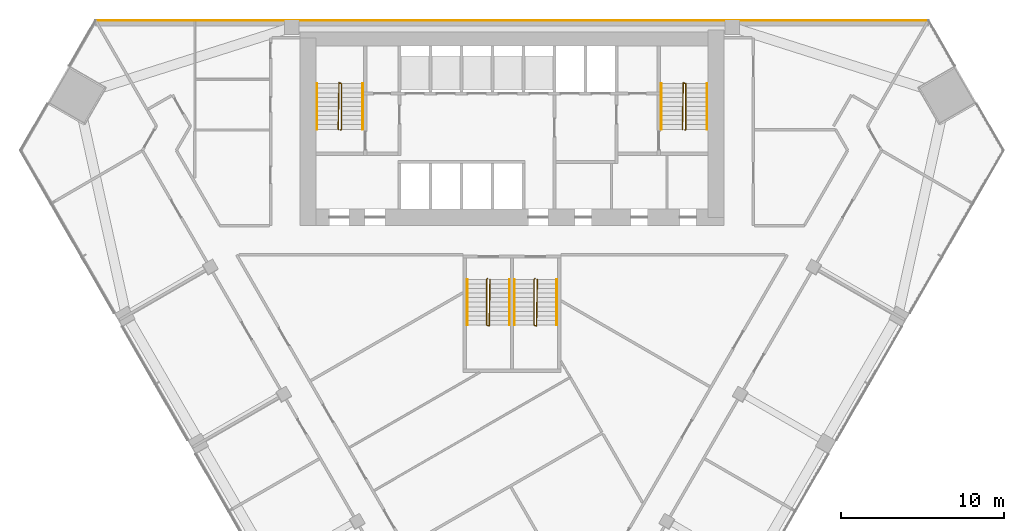
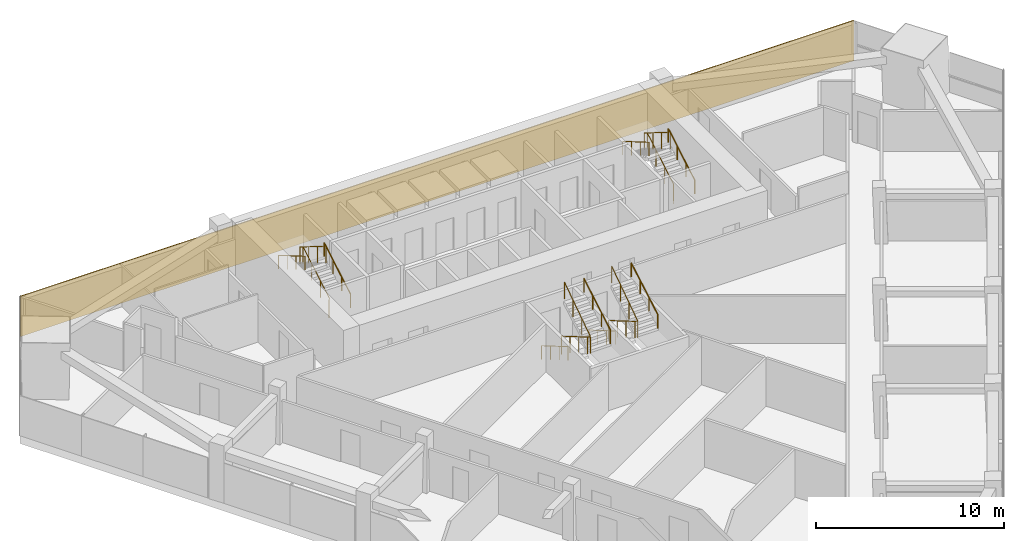
# One storey, part 13 of 14: 12 railings, 1 covering.
"""IFC4 building model written with IfcOpenShell, lengths in metres."""

from ifc_helpers import new_model, si_unit, direction, frame, frame_2d, origin, origin_2d, place, context, subcontext, project, spatial, rectangle, circle, extrude, material, layer, layer_set, type_object, element, save


model = new_model("IFC4")

# Units and contexts
model_context = context("Model", 3, precision=1e-05, world=origin(), true_north=direction((0.0, 1.0)))
body_context = subcontext(model_context, "Body", "Model", "MODEL_VIEW")
ifc_project = project(units=[si_unit("LENGTHUNIT", "METRE"), si_unit("AREAUNIT", "SQUARE_METRE"), si_unit("VOLUMEUNIT", "CUBIC_METRE"), si_unit("PLANEANGLEUNIT", "RADIAN"), si_unit("MASSUNIT", "GRAM", prefix="KILO")], contexts=[model_context])

# Site, building, storey
site_placement = place(None, origin())
site = spatial("IfcSite", under=ifc_project, at=site_placement, CompositionType="ELEMENT")
building_placement = place(site_placement, origin())
building = spatial("IfcBuilding", under=site, at=building_placement, Name="Altiplano Prism Tower", CompositionType="ELEMENT")
storey_placement = place(building_placement, frame((0.0, 0.0, 63.0)))
storey = spatial("IfcBuildingStorey", under=building, at=storey_placement, Name="L15", CompositionType="ELEMENT", Elevation=63.0)

# Railings
ifc_material_1 = material(Name="Steel S355", Category="steel")
railing_type_1 = type_object("IfcRailingType", Name="Stair guard 1100", PredefinedType="GUARDRAIL", material=ifc_material_1)
railing_1_placement = place(storey_placement, frame((74.5, 98.25, 0.0)))
element("IfcRailing", 1, at=railing_1_placement, inside=storey, type_object=railing_type_1, Name="L15 ST1 stair guard 1", PredefinedType="GUARDRAIL", context=body_context, shape_type="SweptSolid", body=[
    extrude(circle(Radius=0.02392578125, at=origin_2d()), frame((0.0, 0.0, 1.076171875), z_axis=(0.280808744504, 0.280808744504, 0.917765164963), x_axis=(-0.707106781187, 0.707106781187, 0.0)), (0.0, 0.0, 1.0), 0.17822265625),
    extrude(circle(Radius=0.02392578125, at=origin_2d()), frame((0.050048828125, 0.050048828125, 1.23974609375), z_axis=(0.0, 0.863360870873, 0.504586966384), x_axis=(-1.0, 0.0, 0.0)), (0.0, 0.0, 1.0), 3.2431640625),
    extrude(circle(Radius=0.02392578125, at=origin_2d()), frame((0.050048828125, 2.85009765625, 2.8759765625), z_axis=(-0.949145278916, 0.314838433982, 0.0), x_axis=(-0.314838433982, -0.949145278916, 0.0)), (0.0, 0.0, 1.0), 0.158203125),
    extrude(circle(Radius=0.02392578125, at=origin_2d()), frame((-0.10009765625, 2.89990234375, 2.8759765625), z_axis=(-0.01477401265, -0.845377694409, 0.533964682676), x_axis=(0.999847325713, -0.01747355902, 0.0)), (0.0, 0.0, 1.0), 3.37109375),
    extrude(circle(Radius=0.02099609375, at=origin_2d()), origin(), (0.0, 0.0, 1.0), 1.052001953125),
    extrude(circle(Radius=0.02099609375, at=origin_2d()), frame((0.050048828125, 0.050048828125, 0.16357421875)), (0.0, 0.0, 1.0), 1.052001953125),
    extrude(circle(Radius=0.02099609375, at=origin_2d()), frame((0.050048828125, 0.9833984375, 0.708984375)), (0.0, 0.0, 1.0), 1.052001953125),
    extrude(circle(Radius=0.02099609375, at=origin_2d()), frame((0.050048828125, 1.916748046875, 1.254638671875)), (0.0, 0.0, 1.0), 1.052001953125),
    extrude(circle(Radius=0.02099609375, at=origin_2d()), frame((0.050048828125, 2.85009765625, 1.800048828125)), (0.0, 0.0, 1.0), 1.052001953125),
    extrude(circle(Radius=0.02099609375, at=origin_2d()), frame((-0.10009765625, 2.89990234375, 1.800048828125)), (0.0, 0.0, 1.0), 1.052001953125),
    extrude(circle(Radius=0.02099609375, at=origin_2d()), frame((-0.11669921875, 1.949951171875, 2.400146484375)), (0.0, 0.0, 1.0), 1.052001953125),
    extrude(circle(Radius=0.02099609375, at=origin_2d()), frame((-0.13330078125, 1.0, 3.0)), (0.0, 0.0, 1.0), 1.052001953125),
    extrude(circle(Radius=0.02099609375, at=origin_2d()), frame((-0.14990234375, 0.050048828125, 3.60009765625)), (0.0, 0.0, 1.0), 1.052001953125),
])
railing_2_placement = place(storey_placement, frame((95.60009765625, 98.25, 0.0)))
element("IfcRailing", 2, at=railing_2_placement, inside=storey, type_object=railing_type_1, Name="L15 ST2 stair guard 1", PredefinedType="GUARDRAIL", context=body_context, shape_type="SweptSolid", body=[
    extrude(circle(Radius=0.02392578125, at=origin_2d()), frame((0.0, 0.0, 1.076171875), z_axis=(0.279546231943, 0.280916556609, 0.91811752648), x_axis=(-0.708833529934, 0.705375805398, 0.0)), (0.0, 0.0, 1.0), 0.17822265625),
    extrude(circle(Radius=0.02392578125, at=origin_2d()), frame((0.0498046875, 0.050048828125, 1.23974609375), z_axis=(0.0, 0.863360870873, 0.504586966384), x_axis=(-1.0, 0.0, 0.0)), (0.0, 0.0, 1.0), 3.2431640625),
    extrude(circle(Radius=0.02392578125, at=origin_2d()), frame((0.0498046875, 2.85009765625, 2.8759765625), z_axis=(-0.948991962702, 0.315300261223, 0.0), x_axis=(-0.315300261223, -0.948991962702, 0.0)), (0.0, 0.0, 1.0), 0.157958984375),
    extrude(circle(Radius=0.02392578125, at=origin_2d()), frame((-0.10009765625, 2.89990234375, 2.8759765625), z_axis=(-0.014846418356, -0.845376787675, 0.533964109957), x_axis=(0.999845825584, -0.017559187376, 0.0)), (0.0, 0.0, 1.0), 3.37109375),
    extrude(circle(Radius=0.02099609375, at=origin_2d()), origin(), (0.0, 0.0, 1.0), 1.052001953125),
    extrude(circle(Radius=0.02099609375, at=origin_2d()), frame((0.0498046875, 0.050048828125, 0.16357421875)), (0.0, 0.0, 1.0), 1.052001953125),
    extrude(circle(Radius=0.02099609375, at=origin_2d()), frame((0.0498046875, 0.9833984375, 0.708984375)), (0.0, 0.0, 1.0), 1.052001953125),
    extrude(circle(Radius=0.02099609375, at=origin_2d()), frame((0.0498046875, 1.916748046875, 1.254638671875)), (0.0, 0.0, 1.0), 1.052001953125),
    extrude(circle(Radius=0.02099609375, at=origin_2d()), frame((0.0498046875, 2.85009765625, 1.800048828125)), (0.0, 0.0, 1.0), 1.052001953125),
    extrude(circle(Radius=0.02099609375, at=origin_2d()), frame((-0.10009765625, 2.89990234375, 1.800048828125)), (0.0, 0.0, 1.0), 1.052001953125),
    extrude(circle(Radius=0.02099609375, at=origin_2d()), frame((-0.11669921875, 1.949951171875, 2.400146484375)), (0.0, 0.0, 1.0), 1.052001953125),
    extrude(circle(Radius=0.02099609375, at=origin_2d()), frame((-0.133544921875, 1.0, 3.0)), (0.0, 0.0, 1.0), 1.052001953125),
    extrude(circle(Radius=0.02099609375, at=origin_2d()), frame((-0.150146484375, 0.050048828125, 3.60009765625)), (0.0, 0.0, 1.0), 1.052001953125),
])
railing_3_placement = place(storey_placement, frame((83.5, 89.14990234375, 0.0)))
element("IfcRailing", 3, at=railing_3_placement, inside=storey, type_object=railing_type_1, Name="L15 ST3A stair guard 1", PredefinedType="GUARDRAIL", context=body_context, shape_type="SweptSolid", body=[
    extrude(circle(Radius=0.02392578125, at=origin_2d()), frame((0.0, 0.0, 1.076171875), z_axis=(-0.280916556609, -0.279546231943, 0.91811752648), x_axis=(0.705375805398, -0.708833529934, 0.0)), (0.0, 0.0, 1.0), 0.17822265625),
    extrude(circle(Radius=0.02392578125, at=origin_2d()), frame((-0.050048828125, -0.0498046875, 1.23974609375), z_axis=(0.0, -0.863360870873, 0.504586966384), x_axis=(1.0, 0.0, 0.0)), (0.0, 0.0, 1.0), 3.2431640625),
    extrude(circle(Radius=0.02392578125, at=origin_2d()), frame((-0.050048828125, -2.849853515625, 2.8759765625), z_axis=(0.948683298051, -0.316227766017, 0.0), x_axis=(0.316227766017, 0.948683298051, 0.0)), (0.0, 0.0, 1.0), 0.158203125),
    extrude(circle(Radius=0.02392578125, at=origin_2d()), frame((0.10009765625, -2.89990234375, 2.8759765625), z_axis=(0.014773108175, 0.84539835705, 0.533931993021), x_axis=(-0.999847351862, 0.017472062685, 0.0)), (0.0, 0.0, 1.0), 3.371337890625),
    extrude(circle(Radius=0.02099609375, at=origin_2d()), origin(), (0.0, 0.0, 1.0), 1.052001953125),
    extrude(circle(Radius=0.02099609375, at=origin_2d()), frame((-0.050048828125, -0.0498046875, 0.16357421875)), (0.0, 0.0, 1.0), 1.052001953125),
    extrude(circle(Radius=0.02099609375, at=origin_2d()), frame((-0.050048828125, -0.983154296875, 0.708984375)), (0.0, 0.0, 1.0), 1.052001953125),
    extrude(circle(Radius=0.02099609375, at=origin_2d()), frame((-0.050048828125, -1.91650390625, 1.254638671875)), (0.0, 0.0, 1.0), 1.052001953125),
    extrude(circle(Radius=0.02099609375, at=origin_2d()), frame((-0.050048828125, -2.849853515625, 1.800048828125)), (0.0, 0.0, 1.0), 1.052001953125),
    extrude(circle(Radius=0.02099609375, at=origin_2d()), frame((0.10009765625, -2.89990234375, 1.800048828125)), (0.0, 0.0, 1.0), 1.052001953125),
    extrude(circle(Radius=0.02099609375, at=origin_2d()), frame((0.11669921875, -1.949951171875, 2.400146484375)), (0.0, 0.0, 1.0), 1.052001953125),
    extrude(circle(Radius=0.02099609375, at=origin_2d()), frame((0.13330078125, -0.999755859375, 3.0)), (0.0, 0.0, 1.0), 1.052001953125),
    extrude(circle(Radius=0.02099609375, at=origin_2d()), frame((0.14990234375, -0.0498046875, 3.60009765625)), (0.0, 0.0, 1.0), 1.052001953125),
])
railing_4_placement = place(storey_placement, frame((86.39990234375, 89.14990234375, 0.0)))
element("IfcRailing", 4, at=railing_4_placement, inside=storey, type_object=railing_type_1, Name="L15 ST3B stair guard 1", PredefinedType="GUARDRAIL", context=body_context, shape_type="SweptSolid", body=[
    extrude(circle(Radius=0.02392578125, at=origin_2d()), frame((0.0, 0.0, 1.076171875), z_axis=(-0.279653641804, -0.279653641804, 0.918470294159), x_axis=(0.707106781187, -0.707106781187, 0.0)), (0.0, 0.0, 1.0), 0.177978515625),
    extrude(circle(Radius=0.02392578125, at=origin_2d()), frame((-0.0498046875, -0.0498046875, 1.23974609375), z_axis=(0.0, -0.863360870873, 0.504586966384), x_axis=(1.0, 0.0, 0.0)), (0.0, 0.0, 1.0), 3.2431640625),
    extrude(circle(Radius=0.02392578125, at=origin_2d()), frame((-0.0498046875, -2.849853515625, 2.8759765625), z_axis=(0.948528701346, -0.316691178788, 0.0), x_axis=(0.316691178788, 0.948528701346, 0.0)), (0.0, 0.0, 1.0), 0.157958984375),
    extrude(circle(Radius=0.02392578125, at=origin_2d()), frame((0.10009765625, -2.89990234375, 2.8759765625), z_axis=(0.014845509451, 0.845397450405, 0.533931420407), x_axis=(-0.999845851991, 0.017557683712, 0.0)), (0.0, 0.0, 1.0), 3.371337890625),
    extrude(circle(Radius=0.02099609375, at=origin_2d()), origin(), (0.0, 0.0, 1.0), 1.052001953125),
    extrude(circle(Radius=0.02099609375, at=origin_2d()), frame((-0.0498046875, -0.0498046875, 0.16357421875)), (0.0, 0.0, 1.0), 1.052001953125),
    extrude(circle(Radius=0.02099609375, at=origin_2d()), frame((-0.0498046875, -0.983154296875, 0.708984375)), (0.0, 0.0, 1.0), 1.052001953125),
    extrude(circle(Radius=0.02099609375, at=origin_2d()), frame((-0.0498046875, -1.91650390625, 1.254638671875)), (0.0, 0.0, 1.0), 1.052001953125),
    extrude(circle(Radius=0.02099609375, at=origin_2d()), frame((-0.0498046875, -2.849853515625, 1.800048828125)), (0.0, 0.0, 1.0), 1.052001953125),
    extrude(circle(Radius=0.02099609375, at=origin_2d()), frame((0.10009765625, -2.89990234375, 1.800048828125)), (0.0, 0.0, 1.0), 1.052001953125),
    extrude(circle(Radius=0.02099609375, at=origin_2d()), frame((0.11669921875, -1.949951171875, 2.400146484375)), (0.0, 0.0, 1.0), 1.052001953125),
    extrude(circle(Radius=0.02099609375, at=origin_2d()), frame((0.133544921875, -0.999755859375, 3.0)), (0.0, 0.0, 1.0), 1.052001953125),
    extrude(circle(Radius=0.02099609375, at=origin_2d()), frame((0.150146484375, -0.0498046875, 3.60009765625)), (0.0, 0.0, 1.0), 1.052001953125),
])
railing_type_2 = type_object("IfcRailingType", Name="Stair handrail 900", PredefinedType="HANDRAIL", material=ifc_material_1)
railing_5_placement = place(storey_placement, frame((75.85009765625, 98.300048828125, 0.16357421875)))
element("IfcRailing", 5, at=railing_5_placement, inside=storey, type_object=railing_type_2, Name="L15 ST1 stair handrail 1", PredefinedType="HANDRAIL", context=body_context, shape_type="SweptSolid", body=[
    extrude(circle(Radius=0.02392578125, at=origin_2d()), frame((0.0, 0.0, 0.8759765625), z_axis=(0.0, 0.863360870873, 0.504586966384), x_axis=(-1.0, 0.0, 0.0)), (0.0, 0.0, 1.0), 3.2431640625),
    extrude(circle(Radius=0.02099609375, at=origin_2d()), origin(), (0.0, 0.0, 1.0), 0.851806640625),
    extrude(circle(Radius=0.02099609375, at=origin_2d()), frame((0.0, 0.933349609375, 0.54541015625)), (0.0, 0.0, 1.0), 0.851806640625),
    extrude(circle(Radius=0.02099609375, at=origin_2d()), frame((0.0, 1.86669921875, 1.091064453125)), (0.0, 0.0, 1.0), 0.851806640625),
    extrude(circle(Radius=0.02099609375, at=origin_2d()), frame((0.0, 2.800048828125, 1.636474609375)), (0.0, 0.0, 1.0), 0.851806640625),
])
railing_6_placement = place(storey_placement, frame((73.050048828125, 101.10009765625, 1.963623046875)))
element("IfcRailing", 6, at=railing_6_placement, inside=storey, type_object=railing_type_2, Name="L15 ST1 stair handrail 2", PredefinedType="HANDRAIL", context=body_context, shape_type="SweptSolid", body=[
    extrude(circle(Radius=0.02392578125, at=origin_2d()), frame((0.0, 0.0, 0.8759765625), z_axis=(0.0, -0.863360870873, 0.504586966384), x_axis=(1.0, 0.0, 0.0)), (0.0, 0.0, 1.0), 3.2431640625),
    extrude(circle(Radius=0.02099609375, at=origin_2d()), origin(), (0.0, 0.0, 1.0), 0.851806640625),
    extrude(circle(Radius=0.02099609375, at=origin_2d()), frame((0.0, -0.933349609375, 0.54541015625)), (0.0, 0.0, 1.0), 0.851806640625),
    extrude(circle(Radius=0.02099609375, at=origin_2d()), frame((0.0, -1.86669921875, 1.091064453125)), (0.0, 0.0, 1.0), 0.851806640625),
    extrude(circle(Radius=0.02099609375, at=origin_2d()), frame((0.0, -2.800048828125, 1.636474609375)), (0.0, 0.0, 1.0), 0.851806640625),
])
railing_7_placement = place(storey_placement, frame((96.949951171875, 98.300048828125, 0.16357421875)))
element("IfcRailing", 7, at=railing_7_placement, inside=storey, type_object=railing_type_2, Name="L15 ST2 stair handrail 1", PredefinedType="HANDRAIL", context=body_context, shape_type="SweptSolid", body=[
    extrude(circle(Radius=0.02392578125, at=origin_2d()), frame((0.0, 0.0, 0.8759765625), z_axis=(0.0, 0.863360870873, 0.504586966384), x_axis=(-1.0, 0.0, 0.0)), (0.0, 0.0, 1.0), 3.2431640625),
    extrude(circle(Radius=0.02099609375, at=origin_2d()), origin(), (0.0, 0.0, 1.0), 0.851806640625),
    extrude(circle(Radius=0.02099609375, at=origin_2d()), frame((0.0, 0.933349609375, 0.54541015625)), (0.0, 0.0, 1.0), 0.851806640625),
    extrude(circle(Radius=0.02099609375, at=origin_2d()), frame((0.0, 1.86669921875, 1.091064453125)), (0.0, 0.0, 1.0), 0.851806640625),
    extrude(circle(Radius=0.02099609375, at=origin_2d()), frame((0.0, 2.800048828125, 1.636474609375)), (0.0, 0.0, 1.0), 0.851806640625),
])
for number, where, name in (
    (8, (94.14990234375, 101.10009765625, 1.963623046875), "L15 ST2 stair handrail 2"),
    (9, (82.25, 89.10009765625, 0.16357421875), "L15 ST3A stair handrail 1"),
):
    element("IfcRailing", number, at=place(storey_placement, frame(where)), inside=storey, type_object=railing_type_2, Name=name, PredefinedType="HANDRAIL", context=body_context, shape_type="SweptSolid", body=[
        extrude(circle(Radius=0.02392578125, at=origin_2d()), frame((0.0, 0.0, 0.8759765625), z_axis=(0.0, -0.863360870873, 0.504586966384), x_axis=(1.0, 0.0, 0.0)), (0.0, 0.0, 1.0), 3.2431640625),
        extrude(circle(Radius=0.02099609375, at=origin_2d()), origin(), (0.0, 0.0, 1.0), 0.851806640625),
        extrude(circle(Radius=0.02099609375, at=origin_2d()), frame((0.0, -0.933349609375, 0.54541015625)), (0.0, 0.0, 1.0), 0.851806640625),
        extrude(circle(Radius=0.02099609375, at=origin_2d()), frame((0.0, -1.86669921875, 1.091064453125)), (0.0, 0.0, 1.0), 0.851806640625),
        extrude(circle(Radius=0.02099609375, at=origin_2d()), frame((0.0, -2.800048828125, 1.636474609375)), (0.0, 0.0, 1.0), 0.851806640625),
    ])
railing_8_placement = place(storey_placement, frame((84.85009765625, 86.300048828125, 1.963623046875)))
element("IfcRailing", 10, at=railing_8_placement, inside=storey, type_object=railing_type_2, Name="L15 ST3A stair handrail 2", PredefinedType="HANDRAIL", context=body_context, shape_type="SweptSolid", body=[
    extrude(circle(Radius=0.02392578125, at=origin_2d()), frame((0.0, 0.0, 0.8759765625), z_axis=(0.0, 0.863360870873, 0.504586966384), x_axis=(-1.0, 0.0, 0.0)), (0.0, 0.0, 1.0), 3.2431640625),
    extrude(circle(Radius=0.02099609375, at=origin_2d()), origin(), (0.0, 0.0, 1.0), 0.851806640625),
    extrude(circle(Radius=0.02099609375, at=origin_2d()), frame((0.0, 0.933349609375, 0.54541015625)), (0.0, 0.0, 1.0), 0.851806640625),
    extrude(circle(Radius=0.02099609375, at=origin_2d()), frame((0.0, 1.86669921875, 1.091064453125)), (0.0, 0.0, 1.0), 0.851806640625),
    extrude(circle(Radius=0.02099609375, at=origin_2d()), frame((0.0, 2.800048828125, 1.636474609375)), (0.0, 0.0, 1.0), 0.851806640625),
])
railing_9_placement = place(storey_placement, frame((85.14990234375, 89.10009765625, 0.16357421875)))
element("IfcRailing", 11, at=railing_9_placement, inside=storey, type_object=railing_type_2, Name="L15 ST3B stair handrail 1", PredefinedType="HANDRAIL", context=body_context, shape_type="SweptSolid", body=[
    extrude(circle(Radius=0.02392578125, at=origin_2d()), frame((0.0, 0.0, 0.8759765625), z_axis=(0.0, -0.863360870873, 0.504586966384), x_axis=(1.0, 0.0, 0.0)), (0.0, 0.0, 1.0), 3.2431640625),
    extrude(circle(Radius=0.02099609375, at=origin_2d()), origin(), (0.0, 0.0, 1.0), 0.851806640625),
    extrude(circle(Radius=0.02099609375, at=origin_2d()), frame((0.0, -0.933349609375, 0.54541015625)), (0.0, 0.0, 1.0), 0.851806640625),
    extrude(circle(Radius=0.02099609375, at=origin_2d()), frame((0.0, -1.86669921875, 1.091064453125)), (0.0, 0.0, 1.0), 0.851806640625),
    extrude(circle(Radius=0.02099609375, at=origin_2d()), frame((0.0, -2.800048828125, 1.636474609375)), (0.0, 0.0, 1.0), 0.851806640625),
])
railing_10_placement = place(storey_placement, frame((87.75, 86.300048828125, 1.963623046875)))
element("IfcRailing", 12, at=railing_10_placement, inside=storey, type_object=railing_type_2, Name="L15 ST3B stair handrail 2", PredefinedType="HANDRAIL", context=body_context, shape_type="SweptSolid", body=[
    extrude(circle(Radius=0.02392578125, at=origin_2d()), frame((0.0, 0.0, 0.8759765625), z_axis=(0.0, 0.863360870873, 0.504586966384), x_axis=(-1.0, 0.0, 0.0)), (0.0, 0.0, 1.0), 3.2431640625),
    extrude(circle(Radius=0.02099609375, at=origin_2d()), origin(), (0.0, 0.0, 1.0), 0.851806640625),
    extrude(circle(Radius=0.02099609375, at=origin_2d()), frame((0.0, 0.933349609375, 0.54541015625)), (0.0, 0.0, 1.0), 0.851806640625),
    extrude(circle(Radius=0.02099609375, at=origin_2d()), frame((0.0, 1.86669921875, 1.091064453125)), (0.0, 0.0, 1.0), 0.851806640625),
    extrude(circle(Radius=0.02099609375, at=origin_2d()), frame((0.0, 2.800048828125, 1.636474609375)), (0.0, 0.0, 1.0), 0.851806640625),
])

# Covering
ifc_material_2 = material(Name="Warm limestone cast stone", Category="masonry")
ifc_layer = layer(ifc_material_2, 0.06005859375)
ifc_layer_set = layer_set([ifc_layer], Name="Warm limestone cast stone")
covering_type = type_object("IfcCoveringType", Name="Stone cladding 60", PredefinedType="CLADDING", material=ifc_layer_set)
covering_placement = place(storey_placement, frame((59.45703125, 104.969970703125, 0.0), z_axis=(0.0, 0.0, 1.0), x_axis=(1.0, 0.0, 0.0)))
element("IfcCovering", 13, at=covering_placement, inside=storey, type_object=covering_type, Name="Stone cladding north face L15", PredefinedType="CLADDING", context=body_context, shape_type="SweptSolid", body=[
    extrude(rectangle(XDim=51.0859375, YDim=0.06005859375, at=frame_2d((25.54296875, 0.0))), origin(), (0.0, 0.0, 1.0), 2.60009765625),
])

save(model, "model.ifc")
